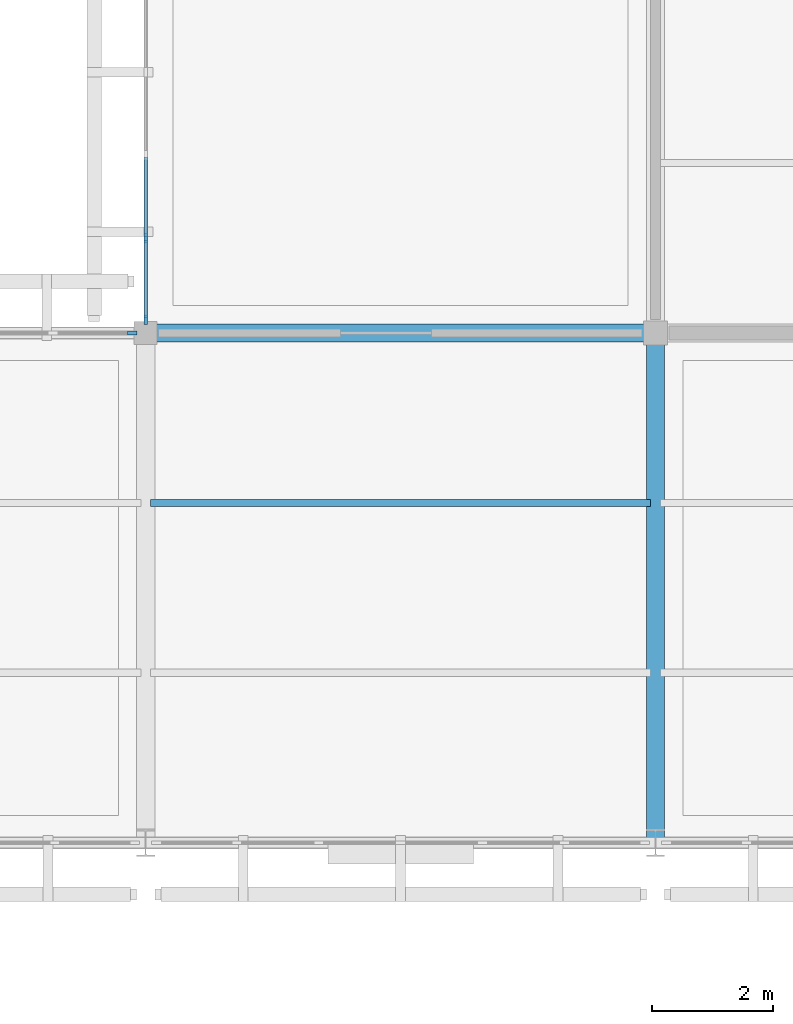
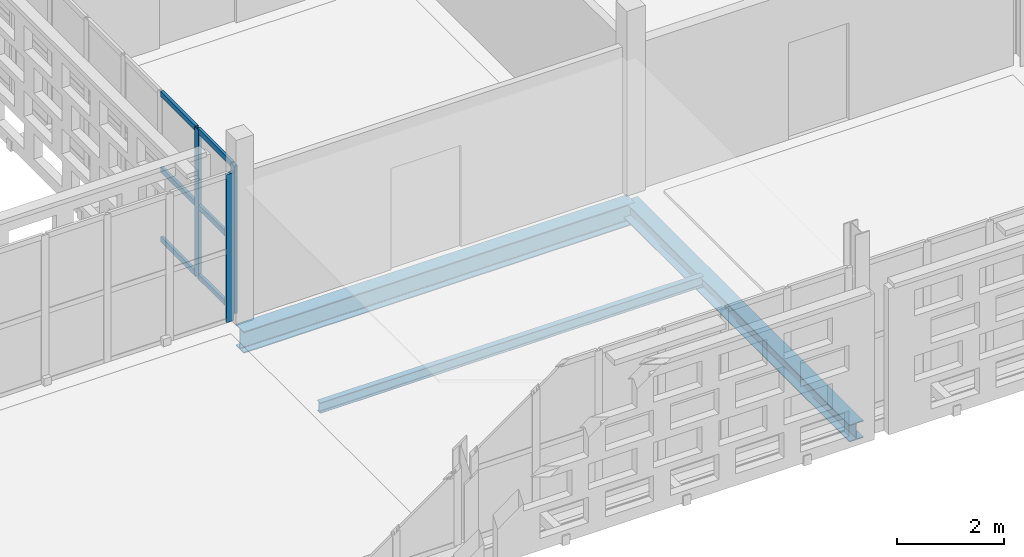
# One storey, part 48 of 166: 9 members, 3 beams, 2 elements without a shape of their own.
"""IFC4 building model written with IfcOpenShell, lengths in metres."""

from ifc_helpers import new_model, si_unit, direction, frame, origin, origin_2d, place, context, subcontext, project, spatial, rectangle, i_section, extrude, material, layer, layer_set, material_profile, profile_set, type_object, element, aggregate, save


model = new_model("IFC4")

# Units and contexts
model_context = context("Model", 3, precision=1e-05, world=origin(), true_north=direction((0.0, 1.0)))
body_context = subcontext(model_context, "Body", "Model", "MODEL_VIEW")
ifc_project = project(units=[si_unit("LENGTHUNIT", "METRE"), si_unit("AREAUNIT", "SQUARE_METRE"), si_unit("VOLUMEUNIT", "CUBIC_METRE"), si_unit("PLANEANGLEUNIT", "RADIAN"), si_unit("MASSUNIT", "GRAM", prefix="KILO")], contexts=[model_context])

# Site, building, storey
site_placement = place(None, origin())
site = spatial("IfcSite", under=ifc_project, at=site_placement, CompositionType="ELEMENT")
building_placement = place(site_placement, origin())
building = spatial("IfcBuilding", under=site, at=building_placement, Name="Varnapada Polytechnic", CompositionType="ELEMENT")
storey_placement = place(building_placement, frame((0.0, 0.0, 9.60009765625)))
storey = spatial("IfcBuildingStorey", under=building, at=storey_placement, Name="L02", CompositionType="ELEMENT", Elevation=9.60009765625)

# Curtain wall, member
ifc_material_1 = material(Name="Double low-E laminated glass", Category="glass")
ifc_layer = layer(ifc_material_1, 0.159912109375)
ifc_layer_set = layer_set([ifc_layer], Name="Double low-E laminated glass")
curtain_wall_type = type_object("IfcCurtainWallType", Name="Curtain Wall CW-02", PredefinedType="NOTDEFINED", material=ifc_layer_set)
curtain_wall_1_placement = place(storey_placement, origin())
curtain_wall_1 = element("IfcCurtainWall", 1, at=curtain_wall_1_placement, inside=storey, type_object=curtain_wall_type, Name="L02 unitised curtain wall CW-02 (174)", PredefinedType="NOTDEFINED")
ifc_material_2 = material(Name="Anodised aluminium", Category="aluminium")
ifc_material_profile_1 = material_profile(ifc_material_2, rectangle(XDim=0.06005859375, YDim=0.159912109375, at=origin_2d()), Name="ALU M60x160")
ifc_profile_set_1 = profile_set([ifc_material_profile_1], Name="Anodised aluminium")
member_type_1 = type_object("IfcMemberType", Name="Mullion M-01", PredefinedType="MULLION", material=ifc_profile_set_1)
member_1_placement = place(storey_placement, frame((117.3798828125, 92.39990234375, 0.0), z_axis=(0.0, 0.0, 1.0), x_axis=(0.0, 1.0, 0.0)))
member_1 = element("IfcMember", 2, at=member_1_placement, type_object=member_type_1, Name="CW-02 mullion 7", PredefinedType="MULLION", context=body_context, shape_type="SweptSolid", body=[
    extrude(rectangle(XDim=0.06005859375, YDim=0.159912109375, at=origin_2d()), origin(), (0.0, 0.0, 1.0), 3.35986328125),
])
aggregate(curtain_wall_1, [member_1])

# Curtain wall, members
curtain_wall_2_placement = place(storey_placement, origin())
curtain_wall_2 = element("IfcCurtainWall", 3, at=curtain_wall_2_placement, inside=storey, type_object=curtain_wall_type, Name="L02 unitised curtain wall CW-02 (176)", PredefinedType="NOTDEFINED")
member_2_placement = place(storey_placement, frame((117.60009765625, 92.6201171875, 0.0), z_axis=(0.0, 0.0, 1.0), x_axis=(-1.0, 0.0, 0.0)))
member_2 = element("IfcMember", 4, at=member_2_placement, type_object=member_type_1, Name="CW-02 mullion 1", PredefinedType="MULLION", context=body_context, shape_type="SweptSolid", body=[
    extrude(rectangle(XDim=0.06005859375, YDim=0.159912109375, at=origin_2d()), origin(), (0.0, 0.0, 1.0), 3.35986328125),
])
member_3_placement = place(storey_placement, frame((117.60009765625, 93.958251953125, 0.0), z_axis=(0.0, 0.0, 1.0), x_axis=(-1.0, 0.0, 0.0)))
member_3 = element("IfcMember", 5, at=member_3_placement, type_object=member_type_1, Name="CW-02 mullion 2", PredefinedType="MULLION", context=body_context, shape_type="SweptSolid", body=[
    extrude(rectangle(XDim=0.06005859375, YDim=0.159912109375, at=origin_2d()), origin(), (0.0, 0.0, 1.0), 3.35986328125),
])

# Beam
ifc_material_3 = material(Name="Steel S355", Category="steel")
ifc_material_profile_2 = material_profile(ifc_material_3, i_section(OverallWidth=0.300048828125, OverallDepth=0.389892578125, WebThickness=0.010986328125, FlangeThickness=0.01904296875, FilletRadius=0.027099609375, at=origin_2d()), Name="HEA 400")
ifc_profile_set_2 = profile_set([ifc_material_profile_2], Name="Steel S355")
beam_type_1 = type_object("IfcBeamType", Name="Steel roof primary girder SG-01 (HEA 400)", PredefinedType="BEAM", material=ifc_profile_set_2)
beam_1_placement = place(storey_placement, frame((126.0, 84.0, -0.43505859375), z_axis=(0.0, 1.0, 0.0), x_axis=(-1.0, 0.0, 0.0)))
element("IfcBeam", 6, at=beam_1_placement, inside=storey, type_object=beam_type_1, Name="L02 beam Y 11-12 at X16", PredefinedType="BEAM", context=body_context, shape_type="SweptSolid", body=[
    extrude(i_section(OverallWidth=0.300048828125, OverallDepth=0.389892578125, WebThickness=0.010986328125, FlangeThickness=0.01904296875, FilletRadius=0.027099609375, at=origin_2d()), origin(), (0.0, 0.0, 1.0), 8.39990234375),
])

# Member
ifc_material_profile_3 = material_profile(ifc_material_2, rectangle(XDim=0.06005859375, YDim=0.1201171875, at=origin_2d()), Name="ALU T60x120")
ifc_profile_set_3 = profile_set([ifc_material_profile_3], Name="Anodised aluminium")
member_type_2 = type_object("IfcMemberType", Name="Transom T-01", PredefinedType="USERDEFINED", material=ifc_profile_set_3)
member_4_placement = place(storey_placement, frame((117.60009765625, 92.64990234375, 0.02978515625), z_axis=(0.0, 1.0, 0.0), x_axis=(-1.0, 0.0, 0.0)))
member_4 = element("IfcMember", 7, at=member_4_placement, type_object=member_type_2, Name="CW-02 transom 1.1", ObjectType="TRANSOM", PredefinedType="USERDEFINED", context=body_context, shape_type="SweptSolid", body=[
    extrude(rectangle(XDim=0.06005859375, YDim=0.1201171875, at=origin_2d()), origin(), (0.0, 0.0, 1.0), 1.2783203125),
])

member_5_placement = place(storey_placement, frame((117.60009765625, 92.64990234375, 1.61279296875), z_axis=(0.0, 1.0, 0.0), x_axis=(-1.0, 0.0, 0.0)))
member_5 = element("IfcMember", 8, at=member_5_placement, type_object=member_type_2, Name="CW-02 transom 1.2", ObjectType="TRANSOM", PredefinedType="USERDEFINED", context=body_context, shape_type="SweptSolid", body=[
    extrude(rectangle(XDim=0.06005859375, YDim=0.1201171875, at=origin_2d()), origin(), (0.0, 0.0, 1.0), 1.2783203125),
])

member_6_placement = place(storey_placement, frame((117.60009765625, 92.64990234375, 3.329833984375), z_axis=(0.0, 1.0, 0.0), x_axis=(-1.0, 0.0, 0.0)))
member_6 = element("IfcMember", 9, at=member_6_placement, type_object=member_type_2, Name="CW-02 transom 1.3", ObjectType="TRANSOM", PredefinedType="USERDEFINED", context=body_context, shape_type="SweptSolid", body=[
    extrude(rectangle(XDim=0.06005859375, YDim=0.1201171875, at=origin_2d()), origin(), (0.0, 0.0, 1.0), 1.2783203125),
])

member_7_placement = place(storey_placement, frame((117.60009765625, 93.98828125, 0.02978515625), z_axis=(0.0, 1.0, 0.0), x_axis=(-1.0, 0.0, 0.0)))
member_7 = element("IfcMember", 10, at=member_7_placement, type_object=member_type_2, Name="CW-02 transom 2.1", ObjectType="TRANSOM", PredefinedType="USERDEFINED", context=body_context, shape_type="SweptSolid", body=[
    extrude(rectangle(XDim=0.06005859375, YDim=0.1201171875, at=origin_2d()), origin(), (0.0, 0.0, 1.0), 1.308349609375),
])

member_8_placement = place(storey_placement, frame((117.60009765625, 93.98828125, 1.61279296875), z_axis=(0.0, 1.0, 0.0), x_axis=(-1.0, 0.0, 0.0)))
member_8 = element("IfcMember", 11, at=member_8_placement, type_object=member_type_2, Name="CW-02 transom 2.2", ObjectType="TRANSOM", PredefinedType="USERDEFINED", context=body_context, shape_type="SweptSolid", body=[
    extrude(rectangle(XDim=0.06005859375, YDim=0.1201171875, at=origin_2d()), origin(), (0.0, 0.0, 1.0), 1.308349609375),
])

member_9_placement = place(storey_placement, frame((117.60009765625, 93.98828125, 3.329833984375), z_axis=(0.0, 1.0, 0.0), x_axis=(-1.0, 0.0, 0.0)))
member_9 = element("IfcMember", 12, at=member_9_placement, type_object=member_type_2, Name="CW-02 transom 2.3", ObjectType="TRANSOM", PredefinedType="USERDEFINED", context=body_context, shape_type="SweptSolid", body=[
    extrude(rectangle(XDim=0.06005859375, YDim=0.1201171875, at=origin_2d()), origin(), (0.0, 0.0, 1.0), 1.308349609375),
])

aggregate(curtain_wall_2, [member_2, member_3, member_4, member_5, member_6, member_7, member_8, member_9])

# Beams
ifc_material_profile_4 = material_profile(ifc_material_3, i_section(OverallWidth=0.1201171875, OverallDepth=0.239990234375, WebThickness=0.006103515625, FlangeThickness=0.009765625, FilletRadius=0.014892578125, at=origin_2d()), Name="IPE 240")
ifc_profile_set_4 = profile_set([ifc_material_profile_4], Name="Steel S355")
beam_type_2 = type_object("IfcBeamType", Name="Workshop gallery composite joist SJ-01 (IPE 240)", PredefinedType="JOIST", material=ifc_profile_set_4)
beam_2_placement = place(storey_placement, frame((117.679931640625, 89.60009765625, -0.360107421875), z_axis=(1.0, 0.0, 0.0), x_axis=(0.0, 1.0, 0.0)))
element("IfcBeam", 13, at=beam_2_placement, inside=storey, type_object=beam_type_2, Name="L02 floor joist 15/11.2", PredefinedType="JOIST", context=body_context, shape_type="SweptSolid", body=[
    extrude(i_section(OverallWidth=0.1201171875, OverallDepth=0.239990234375, WebThickness=0.006103515625, FlangeThickness=0.009765625, FilletRadius=0.014892578125, at=origin_2d()), origin(), (0.0, 0.0, 1.0), 8.239990234375),
])
ifc_material_profile_5 = material_profile(ifc_material_3, i_section(OverallWidth=0.300048828125, OverallDepth=0.489990234375, WebThickness=0.011962890625, FlangeThickness=0.02294921875, FilletRadius=0.027099609375, at=origin_2d()), Name="HEA 500")
ifc_profile_set_5 = profile_set([ifc_material_profile_5], Name="Steel S355")
beam_type_3 = type_object("IfcBeamType", Name="Workshop gallery edge girder CR-02 (HEA 500)", PredefinedType="BEAM", material=ifc_profile_set_5)
beam_3_placement = place(storey_placement, frame((117.60009765625, 92.39990234375, -0.485107421875), z_axis=(1.0, 0.0, 0.0), x_axis=(0.0, 1.0, 0.0)))
element("IfcBeam", 14, at=beam_3_placement, inside=storey, type_object=beam_type_3, Name="L02 beam X 15-16 at Y12", PredefinedType="BEAM", context=body_context, shape_type="SweptSolid", body=[
    extrude(i_section(OverallWidth=0.300048828125, OverallDepth=0.489990234375, WebThickness=0.011962890625, FlangeThickness=0.02294921875, FilletRadius=0.027099609375, at=origin_2d()), origin(), (0.0, 0.0, 1.0), 8.39990234375),
])

save(model, "model.ifc")
